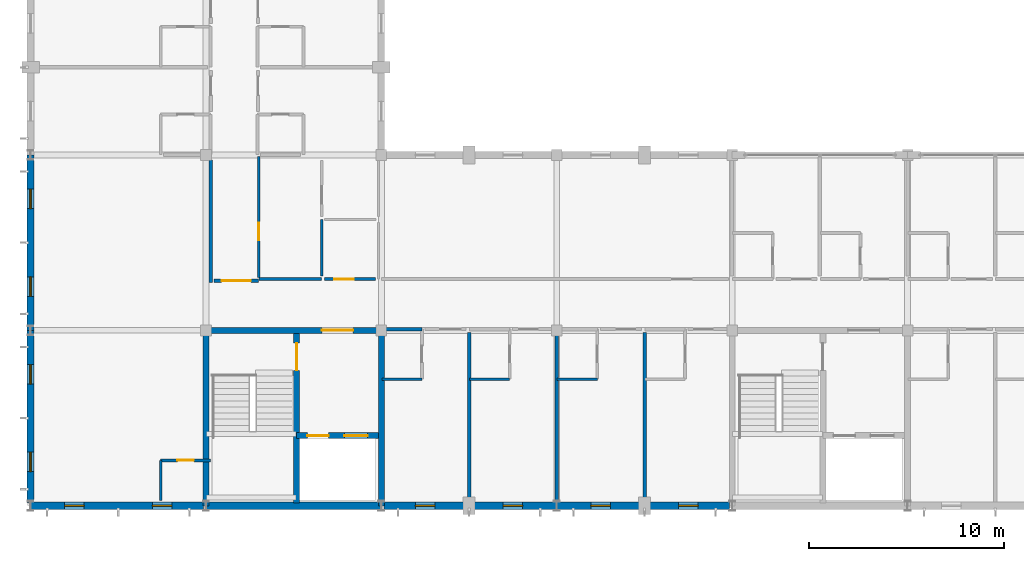
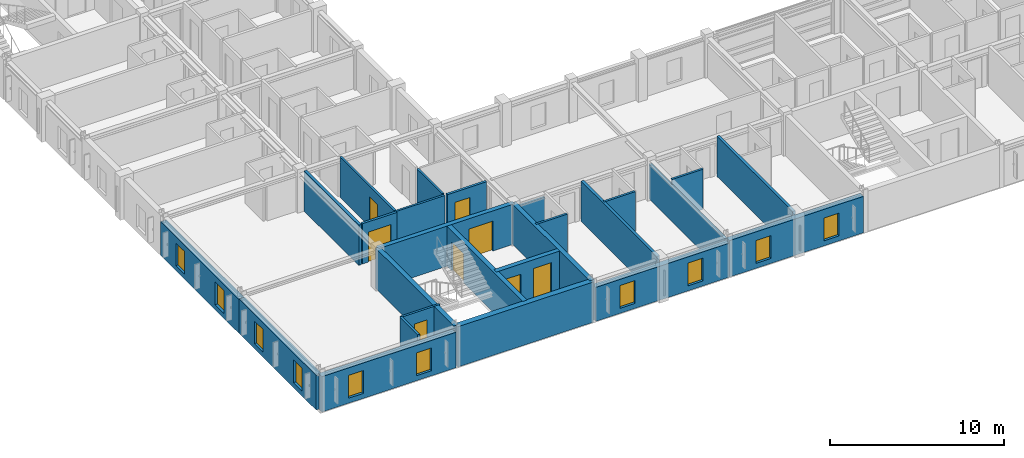
# One storey, part 17 of 37: 26 walls, 10 windows, 8 doors, 18 openings.
"""IFC4 building model written with IfcOpenShell, lengths in metres."""

from ifc_helpers import new_model, si_unit, direction, frame, frame_2d, origin, place, context, subcontext, project, spatial, rectangle, extrude, material, layer, layer_set, type_object, element, fill, save


model = new_model("IFC4")

# Units and contexts
model_context = context("Model", 3, precision=1e-05, world=origin(), true_north=direction((0.0, 1.0)))
body_context = subcontext(model_context, "Body", "Model", "MODEL_VIEW")
ifc_project = project(units=[si_unit("LENGTHUNIT", "METRE"), si_unit("AREAUNIT", "SQUARE_METRE"), si_unit("VOLUMEUNIT", "CUBIC_METRE"), si_unit("PLANEANGLEUNIT", "RADIAN"), si_unit("MASSUNIT", "GRAM", prefix="KILO")], contexts=[model_context])

# Site, building, storey
site_placement = place(None, origin())
site = spatial("IfcSite", under=ifc_project, at=site_placement, CompositionType="ELEMENT")
building_placement = place(site_placement, origin())
building = spatial("IfcBuilding", under=site, at=building_placement, Name="Palais des Congres Ocreval", CompositionType="ELEMENT")
storey_placement = place(building_placement, frame((0.0, 0.0, 11.52001953125)))
storey = spatial("IfcBuildingStorey", under=building, at=storey_placement, Name="L03", CompositionType="ELEMENT", Elevation=11.52001953125)

# Wall, opening, door
ifc_material_1 = material(Name="Moisture-resistant gypsum board")
ifc_layer_1 = layer(ifc_material_1, 0.139892578125)
ifc_layer_set_1 = layer_set([ifc_layer_1], Name="Bathroom Plumbing Chase Wall 140 Gypsum (Moisture-resistant gypsum board)")
wall_type_1 = type_object("IfcWallType", Name="Bathroom Plumbing Chase Wall 140 Gypsum", PredefinedType="PLUMBINGWALL", material=ifc_layer_set_1)
wall_1_placement = place(storey_placement, frame((6.679931640625, 2.330078125, 0.0), z_axis=(0.0, 0.0, 1.0), x_axis=(1.0, 0.0, 0.0)))
wall_1 = element("IfcWall", 1, at=wall_1_placement, inside=storey, type_object=wall_type_1, Name="Bathroom Plumbing Wall PW03 L03", PredefinedType="PLUMBINGWALL", context=body_context, shape_type="SweptSolid", body=[
    extrude(rectangle(XDim=2.56005859375, YDim=0.139892578125, at=frame_2d((1.280029296875, 0.0))), origin(), (0.0, 0.0, 1.0), 2.820068359375),
])
opening_1_placement = place(wall_1_placement, frame((0.85498046875, 0.0, 0.0)))
opening_1 = element("IfcOpeningElement", 2, at=opening_1_placement, cuts=wall_1, Name="Opening D08", PredefinedType="OPENING", context=body_context, shape_type="SweptSolid", body=[
    extrude(rectangle(XDim=0.85009765625, YDim=2.0400390625, at=frame_2d((0.425048828125, 1.02001953125))), frame((0.0, 0.079833984375, 0.0), z_axis=(0.0, -1.0, 0.0), x_axis=(1.0, 0.0, 0.0)), (0.0, 0.0, 1.0), 0.159912109375),
])
ifc_material_2 = material(Name="Solid French oak", Category="wood")
door_type_1 = type_object("IfcDoorType", Name="En-Suite Bathroom Door 850x2040", OperationType="NOTDEFINED", PredefinedType="DOOR", material=ifc_material_2)
door_1_placement = place(opening_1_placement, origin())
door_1 = element("IfcDoor", 3, at=door_1_placement, inside=storey, type_object=door_type_1, Name="En-Suite Bathroom Door D08 L03", OperationType="SINGLE_SWING_LEFT", OverallHeight=2.0400390625, OverallWidth=0.85009765625, PredefinedType="DOOR", context=body_context, shape_type="SweptSolid", body=[
    extrude(rectangle(XDim=0.85009765625, YDim=2.0400390625, at=frame_2d((0.425048828125, 1.02001953125))), frame((0.0, 0.02490234375, 0.0), z_axis=(0.0, -1.0, 0.0), x_axis=(1.0, 0.0, 0.0)), (0.0, 0.0, 1.0), 0.050048828125),
])
fill(opening_1, door_1)

# Walls
for number, where, z_axis, x_axis, name in (
    (4, (6.679931640625, 0.27001953125, 0.0), (0.0, 0.0, 1.0), (0.0, 1.0, 0.0), "Bathroom Plumbing Wall PW03 L03"),
    (5, (18.02001953125, 6.5, 0.0), (0.0, 0.0, 1.0), (1.0, 0.0, 0.0), "Bathroom Plumbing Wall PW03 L03"),
    (6, (22.52001953125, 6.5, 0.0), (0.0, 0.0, 1.0), (1.0, 0.0, 0.0), "Bathroom Plumbing Wall PW03 L03"),
    (7, (27.02001953125, 6.5, 0.0), (0.0, 0.0, 1.0), (1.0, 0.0, 0.0), "Bathroom Plumbing Wall PW03 L03"),
):
    element("IfcWall", number, at=place(storey_placement, frame(where, z_axis=z_axis, x_axis=x_axis)), inside=storey, type_object=wall_type_1, Name=name, PredefinedType="PLUMBINGWALL", context=body_context, shape_type="SweptSolid", body=[
        extrude(rectangle(XDim=2.06005859375, YDim=0.139892578125, at=frame_2d((1.030029296875, 0.0))), origin(), (0.0, 0.0, 1.0), 2.820068359375),
    ])
wall_2_placement = place(storey_placement, frame((11.719970703125, 11.635009765625, 0.0), z_axis=(0.0, 0.0, 1.0), x_axis=(1.0, 0.0, 0.0)))
element("IfcWall", 8, at=wall_2_placement, inside=storey, type_object=wall_type_1, Name="Interior Partition PW03 L03", PredefinedType="PLUMBINGWALL", context=body_context, shape_type="SweptSolid", body=[
    extrude(rectangle(XDim=3.2099609375, YDim=0.139892578125, at=frame_2d((1.60498046875, 0.0))), origin(), (0.0, 0.0, 1.0), 2.820068359375),
])
wall_3_placement = place(storey_placement, frame((14.93505859375, 11.7900390625, 0.0), z_axis=(0.0, 0.0, 1.0), x_axis=(0.0, 1.0, 0.0)))
element("IfcWall", 9, at=wall_3_placement, inside=storey, type_object=wall_type_1, Name="Interior Partition PW03 L03", PredefinedType="PLUMBINGWALL", context=body_context, shape_type="SweptSolid", body=[
    extrude(rectangle(XDim=2.889892578125, YDim=0.139892578125, at=frame_2d((1.44482421875, 0.0))), origin(), (0.0, 0.0, 1.0), 2.820068359375),
])

# Wall, opening, door
wall_4_placement = place(storey_placement, frame((11.7099609375, 11.705078125, 0.0), z_axis=(0.0, 0.0, 1.0), x_axis=(0.0, 1.0, 0.0)))
wall_4 = element("IfcWall", 10, at=wall_4_placement, inside=storey, type_object=wall_type_1, Name="Interior Partition PW03 L03", PredefinedType="PLUMBINGWALL", context=body_context, shape_type="SweptSolid", body=[
    extrude(rectangle(XDim=6.219970703125, YDim=0.139892578125, at=frame_2d((3.10986328125, 0.0))), origin(), (0.0, 0.0, 1.0), 2.820068359375),
])
opening_2_placement = place(wall_4_placement, frame((1.91357421875, 0.0, 0.0)))
opening_2 = element("IfcOpeningElement", 11, at=opening_2_placement, cuts=wall_4, Name="Opening D09", PredefinedType="OPENING", context=body_context, shape_type="SweptSolid", body=[
    extrude(rectangle(XDim=0.89990234375, YDim=2.10009765625, at=frame_2d((0.449951171875, 1.050048828125))), frame((0.0, 0.079833984375, 0.0), z_axis=(0.0, -1.0, 0.0), x_axis=(1.0, 0.0, 0.0)), (0.0, 0.0, 1.0), 0.159912109375),
])
door_type_2 = type_object("IfcDoorType", Name="Accessible Restroom Door 900x2100", OperationType="NOTDEFINED", PredefinedType="DOOR", material=ifc_material_2)
door_2_placement = place(opening_2_placement, origin())
door_2 = element("IfcDoor", 12, at=door_2_placement, inside=storey, type_object=door_type_2, Name="Interior Door D09 L03", OperationType="SINGLE_SWING_LEFT", OverallHeight=2.10009765625, OverallWidth=0.89990234375, PredefinedType="DOOR", context=body_context, shape_type="SweptSolid", body=[
    extrude(rectangle(XDim=0.89990234375, YDim=2.10009765625, at=frame_2d((0.449951171875, 1.050048828125))), frame((0.0, 0.02490234375, 0.0), z_axis=(0.0, -1.0, 0.0), x_axis=(1.0, 0.0, 0.0)), (0.0, 0.0, 1.0), 0.050048828125),
])
fill(opening_2, door_2)

# Wall
ifc_material_3 = material(Name="Concrete C40/50", Category="concrete")
ifc_layer_2 = layer(ifc_material_3, 0.300048828125)
ifc_layer_set_2 = layer_set([ifc_layer_2], Name="Core Shear Wall 300 Concrete C40/50")
wall_type_2 = type_object("IfcWallType", Name="Core Shear Wall 300 Concrete C40/50", PredefinedType="SHEAR", material=ifc_layer_set_2)
wall_5_placement = place(storey_placement, frame((18.0, 0.0, 0.0), z_axis=(0.0, 0.0, 1.0), x_axis=(0.0, 1.0, 0.0)))
element("IfcWall", 13, at=wall_5_placement, inside=storey, type_object=wall_type_2, Name="Core Shear Wall SC01 L03 E", PredefinedType="SHEAR", context=body_context, shape_type="SweptSolid", body=[
    extrude(rectangle(XDim=9.0, YDim=0.300048828125, at=frame_2d((4.5, 0.0))), origin(), (0.0, 0.0, 1.0), 2.820068359375),
])

# Wall, opening, door
wall_6_placement = place(storey_placement, frame((9.0, 9.0, 0.0), z_axis=(0.0, 0.0, 1.0), x_axis=(1.0, 0.0, 0.0)))
wall_6 = element("IfcWall", 14, at=wall_6_placement, inside=storey, type_object=wall_type_2, Name="Core Shear Wall SC01 L03 N", PredefinedType="SHEAR", context=body_context, shape_type="SweptSolid", body=[
    extrude(rectangle(XDim=9.0, YDim=0.300048828125, at=frame_2d((4.5, 0.0))), origin(), (0.0, 0.0, 1.0), 2.820068359375),
])
opening_3_placement = place(wall_6_placement, frame((5.949951171875, 0.0, 0.0)))
opening_3 = element("IfcOpeningElement", 15, at=opening_3_placement, cuts=wall_6, Name="Opening D02", PredefinedType="OPENING", context=body_context, shape_type="SweptSolid", body=[
    extrude(rectangle(XDim=1.60009765625, YDim=2.10009765625, at=frame_2d((0.800048828125, 1.050048828125))), frame((0.0, 0.159912109375, 0.0), z_axis=(0.0, -1.0, 0.0), x_axis=(1.0, 0.0, 0.0)), (0.0, 0.0, 1.0), 0.320068359375),
])
ifc_material_4 = material(Name="Painted fire-rated steel", Category="steel")
door_type_3 = type_object("IfcDoorType", Name="Firefighting Lobby Rated Door 1600x2100", OperationType="NOTDEFINED", PredefinedType="DOOR", material=ifc_material_4)
door_3_placement = place(opening_3_placement, origin())
door_3 = element("IfcDoor", 16, at=door_3_placement, inside=storey, type_object=door_type_3, Name="Firefighting Lobby Entrance Door SC01 L03", OperationType="DOUBLE_DOOR_SINGLE_SWING", OverallHeight=2.10009765625, OverallWidth=1.60009765625, PredefinedType="DOOR", context=body_context, shape_type="SweptSolid", body=[
    extrude(rectangle(XDim=1.60009765625, YDim=2.10009765625, at=frame_2d((0.800048828125, 1.050048828125))), frame((0.0, 0.02490234375, 0.0), z_axis=(0.0, -1.0, 0.0), x_axis=(1.0, 0.0, 0.0)), (0.0, 0.0, 1.0), 0.050048828125),
])
fill(opening_3, door_3)

# Wall
wall_7_placement = place(storey_placement, frame((9.0, 0.0, 0.0), z_axis=(0.0, 0.0, 1.0), x_axis=(0.0, 1.0, 0.0)))
element("IfcWall", 17, at=wall_7_placement, inside=storey, type_object=wall_type_2, Name="Core Shear Wall SC01 L03 W", PredefinedType="SHEAR", context=body_context, shape_type="SweptSolid", body=[
    extrude(rectangle(XDim=9.0, YDim=0.300048828125, at=frame_2d((4.5, 0.0))), origin(), (0.0, 0.0, 1.0), 2.820068359375),
])

# Wall, opening, door
wall_8_placement = place(storey_placement, frame((13.64990234375, 0.14990234375, 0.0), z_axis=(0.0, 0.0, 1.0), x_axis=(0.0, 1.0, 0.0)))
wall_8 = element("IfcWall", 18, at=wall_8_placement, inside=storey, type_object=wall_type_2, Name="Core Spine Shear Wall SC01 L03", PredefinedType="SHEAR", context=body_context, shape_type="SweptSolid", body=[
    extrude(rectangle(XDim=8.7001953125, YDim=0.300048828125, at=frame_2d((4.35009765625, 0.0))), origin(), (0.0, 0.0, 1.0), 2.820068359375),
])
opening_4_placement = place(wall_8_placement, frame((6.800048828125, 0.0, 0.0)))
opening_4 = element("IfcOpeningElement", 19, at=opening_4_placement, cuts=wall_8, Name="Opening D03", PredefinedType="OPENING", context=body_context, shape_type="SweptSolid", body=[
    extrude(rectangle(XDim=1.39990234375, YDim=2.02001953125, at=frame_2d((0.699951171875, 1.010009765625))), frame((0.0, 0.159912109375, 0.0), z_axis=(0.0, -1.0, 0.0), x_axis=(1.0, 0.0, 0.0)), (0.0, 0.0, 1.0), 0.320068359375),
])
door_type_4 = type_object("IfcDoorType", Name="Core Lobby Rated Door 1400x2020", OperationType="NOTDEFINED", PredefinedType="DOOR", material=ifc_material_4)
door_4_placement = place(opening_4_placement, origin())
door_4 = element("IfcDoor", 20, at=door_4_placement, inside=storey, type_object=door_type_4, Name="Protected Exit Stair Door ST01 L03", OperationType="SINGLE_SWING_LEFT", OverallHeight=2.02001953125, OverallWidth=1.39990234375, PredefinedType="DOOR", context=body_context, shape_type="SweptSolid", body=[
    extrude(rectangle(XDim=1.39990234375, YDim=2.02001953125, at=frame_2d((0.699951171875, 1.010009765625))), frame((0.0, 0.02490234375, 0.0), z_axis=(0.0, -1.0, 0.0), x_axis=(1.0, 0.0, 0.0)), (0.0, 0.0, 1.0), 0.050048828125),
])
fill(opening_4, door_4)

# Wall, openings, doors
wall_9_placement = place(storey_placement, frame((13.64990234375, 3.60009765625, 0.0), z_axis=(0.0, 0.0, 1.0), x_axis=(1.0, 0.0, 0.0)))
wall_9 = element("IfcWall", 21, at=wall_9_placement, inside=storey, type_object=wall_type_2, Name="Lift Shaft Front Wall SC01 L03", PredefinedType="SHEAR", context=body_context, shape_type="SweptSolid", body=[
    extrude(rectangle(XDim=4.2001953125, YDim=0.300048828125, at=frame_2d((2.10009765625, 0.0))), origin(), (0.0, 0.0, 1.0), 2.820068359375),
])
opening_5_placement = place(wall_9_placement, frame((0.550048828125, 0.0, 0.0)))
opening_5 = element("IfcOpeningElement", 22, at=opening_5_placement, cuts=wall_9, Name="Opening LD01", PredefinedType="OPENING", context=body_context, shape_type="SweptSolid", body=[
    extrude(rectangle(XDim=1.10009765625, YDim=2.10009765625, at=frame_2d((0.550048828125, 1.050048828125))), frame((0.0, 0.159912109375, 0.0), z_axis=(0.0, -1.0, 0.0), x_axis=(1.0, 0.0, 0.0)), (0.0, 0.0, 1.0), 0.320068359375),
])
opening_6_placement = place(wall_9_placement, frame((2.449951171875, 0.0, 0.0)))
opening_6 = element("IfcOpeningElement", 23, at=opening_6_placement, cuts=wall_9, Name="Opening LD02", PredefinedType="OPENING", context=body_context, shape_type="SweptSolid", body=[
    extrude(rectangle(XDim=1.199951171875, YDim=2.199951171875, at=frame_2d((0.60009765625, 1.10009765625))), frame((0.0, 0.159912109375, 0.0), z_axis=(0.0, -1.0, 0.0), x_axis=(1.0, 0.0, 0.0)), (0.0, 0.0, 1.0), 0.320068359375),
])
ifc_material_5 = material(Name="Stainless steel", Category="steel")
door_type_5 = type_object("IfcDoorType", Name="Firefighting Lift Sliding Landing Door 1100x2100", OperationType="NOTDEFINED", PredefinedType="DOOR", material=ifc_material_5)
door_5_placement = place(opening_5_placement, origin())
door_5 = element("IfcDoor", 24, at=door_5_placement, inside=storey, type_object=door_type_5, Name="Lift Landing Sliding Door FF1 L03", OperationType="DOUBLE_DOOR_SLIDING", OverallHeight=2.10009765625, OverallWidth=1.10009765625, PredefinedType="DOOR", context=body_context, shape_type="SweptSolid", body=[
    extrude(rectangle(XDim=1.10009765625, YDim=2.10009765625, at=frame_2d((0.550048828125, 1.050048828125))), frame((0.0, 0.02490234375, 0.0), z_axis=(0.0, -1.0, 0.0), x_axis=(1.0, 0.0, 0.0)), (0.0, 0.0, 1.0), 0.050048828125),
])
fill(opening_5, door_5)
ifc_material_6 = material(Name="Anodized bronze steel", Category="steel")
door_type_6 = type_object("IfcDoorType", Name="Passenger and Service Lift Sliding Door 1200x2200", OperationType="NOTDEFINED", PredefinedType="DOOR", material=ifc_material_6)
door_6_placement = place(opening_6_placement, origin())
door_6 = element("IfcDoor", 25, at=door_6_placement, inside=storey, type_object=door_type_6, Name="Lift Landing Sliding Door PL1 L03", OperationType="DOUBLE_DOOR_SLIDING", OverallHeight=2.199951171875, OverallWidth=1.199951171875, PredefinedType="DOOR", context=body_context, shape_type="SweptSolid", body=[
    extrude(rectangle(XDim=1.199951171875, YDim=2.199951171875, at=frame_2d((0.60009765625, 1.10009765625))), frame((0.0, 0.02490234375, 0.0), z_axis=(0.0, -1.0, 0.0), x_axis=(1.0, 0.0, 0.0)), (0.0, 0.0, 1.0), 0.050048828125),
])
fill(opening_6, door_6)

# Wall
ifc_material_7 = material(Name="Gypsum acoustic partition")
ifc_layer_3 = layer(ifc_material_7, 0.159912109375)
ifc_layer_set_3 = layer_set([ifc_layer_3], Name="Corridor Fire Partition 160 Gypsum (Gypsum acoustic partition)")
wall_type_3 = type_object("IfcWallType", Name="Corridor Fire Partition 160 Gypsum", PredefinedType="PARTITIONING", material=ifc_layer_set_3)
wall_10_placement = place(storey_placement, frame((18.02001953125, 9.06005859375, 0.0), z_axis=(0.0, 0.0, 1.0), x_axis=(1.0, 0.0, 0.0)))
element("IfcWall", 26, at=wall_10_placement, inside=storey, type_object=wall_type_3, Name="Corridor Partition IW03 L03", PredefinedType="PARTITIONING", context=body_context, shape_type="SweptSolid", body=[
    extrude(rectangle(XDim=2.06005859375, YDim=0.159912109375, at=frame_2d((1.030029296875, 0.0))), origin(), (0.0, 0.0, 1.0), 2.449951171875),
])

# Wall, opening, door
wall_11_placement = place(storey_placement, frame((9.405029296875, 11.550048828125, 0.0), z_axis=(0.0, 0.0, 1.0), x_axis=(1.0, 0.0, 0.0)))
wall_11 = element("IfcWall", 27, at=wall_11_placement, inside=storey, type_object=wall_type_3, Name="Interior Partition IW03 L03", PredefinedType="PARTITIONING", context=body_context, shape_type="SweptSolid", body=[
    extrude(rectangle(XDim=2.294921875, YDim=0.159912109375, at=frame_2d((1.1474609375, 0.0))), origin(), (0.0, 0.0, 1.0), 2.820068359375),
])
opening_7_placement = place(wall_11_placement, frame((0.3974609375, 0.0, 0.0)))
opening_7 = element("IfcOpeningElement", 28, at=opening_7_placement, cuts=wall_11, Name="Opening D04", PredefinedType="OPENING", context=body_context, shape_type="SweptSolid", body=[
    extrude(rectangle(XDim=1.5, YDim=2.10009765625, at=frame_2d((0.75, 1.050048828125))), frame((0.0, 0.08984375, 0.0), z_axis=(0.0, -1.0, 0.0), x_axis=(1.0, 0.0, 0.0)), (0.0, 0.0, 1.0), 0.179931640625),
])
ifc_material_8 = material(Name="Solid French oak fire door", Category="wood")
door_type_7 = type_object("IfcDoorType", Name="Corridor Compartment Double Door 1500x2100", OperationType="NOTDEFINED", PredefinedType="DOOR", material=ifc_material_8)
door_7_placement = place(opening_7_placement, origin())
door_7 = element("IfcDoor", 29, at=door_7_placement, inside=storey, type_object=door_type_7, Name="Interior Door D04 L03", OperationType="DOUBLE_DOOR_SINGLE_SWING", OverallHeight=2.10009765625, OverallWidth=1.5, PredefinedType="DOOR", context=body_context, shape_type="SweptSolid", body=[
    extrude(rectangle(XDim=1.5, YDim=2.10009765625, at=frame_2d((0.75, 1.050048828125))), frame((0.0, 0.02490234375, 0.0), z_axis=(0.0, -1.0, 0.0), x_axis=(1.0, 0.0, 0.0)), (0.0, 0.0, 1.0), 0.050048828125),
])
fill(opening_7, door_7)

wall_12_placement = place(storey_placement, frame((15.090087890625, 11.635009765625, 0.0), z_axis=(0.0, 0.0, 1.0), x_axis=(1.0, 0.0, 0.0)))
wall_12 = element("IfcWall", 30, at=wall_12_placement, inside=storey, type_object=wall_type_3, Name="Interior Partition IW03 L03", PredefinedType="PARTITIONING", context=body_context, shape_type="SweptSolid", body=[
    extrude(rectangle(XDim=2.60498046875, YDim=0.159912109375, at=frame_2d((1.302490234375, 0.0))), origin(), (0.0, 0.0, 1.0), 2.820068359375),
])
opening_8_placement = place(wall_12_placement, frame((0.489990234375, 0.0, 0.0)))
opening_8 = element("IfcOpeningElement", 31, at=opening_8_placement, cuts=wall_12, Name="Opening D10", PredefinedType="OPENING", context=body_context, shape_type="SweptSolid", body=[
    extrude(rectangle(XDim=1.0, YDim=2.10009765625, at=frame_2d((0.5, 1.050048828125))), frame((0.0, 0.08984375, 0.0), z_axis=(0.0, -1.0, 0.0), x_axis=(1.0, 0.0, 0.0)), (0.0, 0.0, 1.0), 0.179931640625),
])
ifc_material_9 = material(Name="Painted steel", Category="steel")
door_type_8 = type_object("IfcDoorType", Name="Service and Pantry Door 1000x2100", OperationType="NOTDEFINED", PredefinedType="DOOR", material=ifc_material_9)
door_8_placement = place(opening_8_placement, origin())
door_8 = element("IfcDoor", 32, at=door_8_placement, inside=storey, type_object=door_type_8, Name="Interior Door D10 L03", OperationType="SINGLE_SWING_RIGHT", OverallHeight=2.10009765625, OverallWidth=1.0, PredefinedType="DOOR", context=body_context, shape_type="SweptSolid", body=[
    extrude(rectangle(XDim=1.0, YDim=2.10009765625, at=frame_2d((0.5, 1.050048828125))), frame((0.0, 0.02490234375, 0.0), z_axis=(0.0, -1.0, 0.0), x_axis=(1.0, 0.0, 0.0)), (0.0, 0.0, 1.0), 0.050048828125),
])
fill(opening_8, door_8)

# Walls
ifc_layer_4 = layer(ifc_material_7, 0.179931640625)
ifc_layer_set_4 = layer_set([ifc_layer_4], Name="Hotel Inter-Room Acoustic Partition 180 Gypsum (Gypsum acoustic partition)")
wall_type_4 = type_object("IfcWallType", Name="Hotel Inter-Room Acoustic Partition 180 Gypsum", PredefinedType="PARTITIONING", material=ifc_layer_set_4)
wall_13_placement = place(storey_placement, frame((9.25, 11.449951171875, 0.0), z_axis=(0.0, 0.0, 1.0), x_axis=(0.0, 1.0, 0.0)))
element("IfcWall", 33, at=wall_13_placement, inside=storey, type_object=wall_type_4, Name="Hotel Party Partition IW02 L03", PredefinedType="PARTITIONING", context=body_context, shape_type="SweptSolid", body=[
    extrude(rectangle(XDim=6.300048828125, YDim=0.179931640625, at=frame_2d((3.14990234375, 0.0))), origin(), (0.0, 0.0, 1.0), 2.820068359375),
])
wall_14_placement = place(storey_placement, frame((22.5, 0.195068359375, 0.0), z_axis=(0.0, 0.0, 1.0), x_axis=(0.0, 1.0, 0.0)))
element("IfcWall", 34, at=wall_14_placement, inside=storey, type_object=wall_type_4, Name="Hotel Party Partition IW02 L03", PredefinedType="PARTITIONING", context=body_context, shape_type="SweptSolid", body=[
    extrude(rectangle(XDim=8.7099609375, YDim=0.179931640625, at=frame_2d((4.35498046875, 0.0))), origin(), (0.0, 0.0, 1.0), 2.820068359375),
])
wall_15_placement = place(storey_placement, frame((27.0, 0.195068359375, 0.0), z_axis=(0.0, 0.0, 1.0), x_axis=(0.0, 1.0, 0.0)))
element("IfcWall", 35, at=wall_15_placement, inside=storey, type_object=wall_type_4, Name="Hotel Party Partition IW02 L03", PredefinedType="PARTITIONING", context=body_context, shape_type="SweptSolid", body=[
    extrude(rectangle(XDim=8.7099609375, YDim=0.179931640625, at=frame_2d((4.35498046875, 0.0))), origin(), (0.0, 0.0, 1.0), 2.449951171875),
])
wall_16_placement = place(storey_placement, frame((31.5, 0.195068359375, 0.0), z_axis=(0.0, 0.0, 1.0), x_axis=(0.0, 1.0, 0.0)))
element("IfcWall", 36, at=wall_16_placement, inside=storey, type_object=wall_type_4, Name="Hotel Party Partition IW02 L03", PredefinedType="PARTITIONING", context=body_context, shape_type="SweptSolid", body=[
    extrude(rectangle(XDim=8.7099609375, YDim=0.179931640625, at=frame_2d((4.35498046875, 0.0))), origin(), (0.0, 0.0, 1.0), 2.820068359375),
])

# Wall, openings, windows
ifc_layer_5 = layer(ifc_material_3, 0.3798828125)
ifc_layer_set_5 = layer_set([ifc_layer_5], Name="Lutetian Limestone Street Wall 380 Concrete C40/50")
wall_type_5 = type_object("IfcWallType", Name="Lutetian Limestone Street Wall 380 Concrete C40/50", PredefinedType="SOLIDWALL", material=ifc_layer_set_5)
wall_17_placement = place(storey_placement, frame((35.8701171875, 0.0, 0.0), z_axis=(0.0, 0.0, 1.0), x_axis=(-1.0, 0.0, 0.0)))
wall_17 = element("IfcWall", 37, at=wall_17_placement, inside=storey, type_object=wall_type_5, Name="Exterior Wall EW03 L03", PredefinedType="SOLIDWALL", context=body_context, shape_type="SweptSolid", body=[
    extrude(rectangle(XDim=8.8701171875, YDim=0.3798828125, at=frame_2d((4.43505859375, 0.0))), origin(), (0.0, 0.0, 1.0), 2.550048828125),
])
opening_9_placement = place(wall_17_placement, frame((1.6201171875, 0.0, 0.35009765625)))
opening_9 = element("IfcOpeningElement", 38, at=opening_9_placement, cuts=wall_17, Name="Opening WN18", PredefinedType="OPENING", context=body_context, shape_type="SweptSolid", body=[
    extrude(rectangle(XDim=1.0, YDim=1.60009765625, at=frame_2d((0.5, 0.800048828125))), frame((0.0, 0.199951171875, 0.0), z_axis=(0.0, -1.0, 0.0), x_axis=(1.0, 0.0, 0.0)), (0.0, 0.0, 1.0), 0.39990234375),
])
opening_10_placement = place(wall_17_placement, frame((6.1201171875, 0.0, 0.35009765625)))
opening_10 = element("IfcOpeningElement", 39, at=opening_10_placement, cuts=wall_17, Name="Opening WN18", PredefinedType="OPENING", context=body_context, shape_type="SweptSolid", body=[
    extrude(rectangle(XDim=1.0, YDim=1.60009765625, at=frame_2d((0.5, 0.800048828125))), frame((0.0, 0.199951171875, 0.0), z_axis=(0.0, -1.0, 0.0), x_axis=(1.0, 0.0, 0.0)), (0.0, 0.0, 1.0), 0.39990234375),
])
ifc_material_10 = material(Name="Anodized bronze aluminium and low-E glass", Category="glass")
window_type = type_object("IfcWindowType", Name="Stair and Lobby Daylight Window 1000x1600", PartitioningType="SINGLE_PANEL", PredefinedType="WINDOW", material=ifc_material_10)
window_1_placement = place(opening_9_placement, origin())
window_1 = element("IfcWindow", 40, at=window_1_placement, inside=storey, type_object=window_type, Name="Hotel Facade Window WN18", OverallHeight=1.60009765625, OverallWidth=1.0, PartitioningType="SINGLE_PANEL", PredefinedType="WINDOW", context=body_context, shape_type="SweptSolid", body=[
    extrude(rectangle(XDim=1.0, YDim=1.60009765625, at=frame_2d((0.5, 0.800048828125))), frame((0.0, 0.030029296875, 0.0), z_axis=(0.0, -1.0, 0.0), x_axis=(1.0, 0.0, 0.0)), (0.0, 0.0, 1.0), 0.06005859375),
])
fill(opening_9, window_1)
window_2_placement = place(opening_10_placement, origin())
window_2 = element("IfcWindow", 41, at=window_2_placement, inside=storey, type_object=window_type, Name="Hotel Facade Window WN18", OverallHeight=1.60009765625, OverallWidth=1.0, PartitioningType="SINGLE_PANEL", PredefinedType="WINDOW", context=body_context, shape_type="SweptSolid", body=[
    extrude(rectangle(XDim=1.0, YDim=1.60009765625, at=frame_2d((0.5, 0.800048828125))), frame((0.0, 0.030029296875, 0.0), z_axis=(0.0, -1.0, 0.0), x_axis=(1.0, 0.0, 0.0)), (0.0, 0.0, 1.0), 0.06005859375),
])
fill(opening_10, window_2)

wall_18_placement = place(storey_placement, frame((27.0, 0.0, 0.0), z_axis=(0.0, 0.0, 1.0), x_axis=(-1.0, 0.0, 0.0)))
wall_18 = element("IfcWall", 42, at=wall_18_placement, inside=storey, type_object=wall_type_5, Name="Exterior Wall EW03 L03", PredefinedType="SOLIDWALL", context=body_context, shape_type="SweptSolid", body=[
    extrude(rectangle(XDim=8.8701171875, YDim=0.3798828125, at=frame_2d((4.43505859375, 0.0))), origin(), (0.0, 0.0, 1.0), 2.3798828125),
])
opening_11_placement = place(wall_18_placement, frame((1.75, 0.0, 0.35009765625)))
opening_11 = element("IfcOpeningElement", 43, at=opening_11_placement, cuts=wall_18, Name="Opening WN18", PredefinedType="OPENING", context=body_context, shape_type="SweptSolid", body=[
    extrude(rectangle(XDim=1.0, YDim=1.60009765625, at=frame_2d((0.5, 0.800048828125))), frame((0.0, 0.199951171875, 0.0), z_axis=(0.0, -1.0, 0.0), x_axis=(1.0, 0.0, 0.0)), (0.0, 0.0, 1.0), 0.39990234375),
])
opening_12_placement = place(wall_18_placement, frame((6.25, 0.0, 0.35009765625)))
opening_12 = element("IfcOpeningElement", 44, at=opening_12_placement, cuts=wall_18, Name="Opening WN18", PredefinedType="OPENING", context=body_context, shape_type="SweptSolid", body=[
    extrude(rectangle(XDim=1.0, YDim=1.60009765625, at=frame_2d((0.5, 0.800048828125))), frame((0.0, 0.199951171875, 0.0), z_axis=(0.0, -1.0, 0.0), x_axis=(1.0, 0.0, 0.0)), (0.0, 0.0, 1.0), 0.39990234375),
])
window_3_placement = place(opening_11_placement, origin())
window_3 = element("IfcWindow", 45, at=window_3_placement, inside=storey, type_object=window_type, Name="Hotel Facade Window WN18", OverallHeight=1.60009765625, OverallWidth=1.0, PartitioningType="SINGLE_PANEL", PredefinedType="WINDOW", context=body_context, shape_type="SweptSolid", body=[
    extrude(rectangle(XDim=1.0, YDim=1.60009765625, at=frame_2d((0.5, 0.800048828125))), frame((0.0, 0.030029296875, 0.0), z_axis=(0.0, -1.0, 0.0), x_axis=(1.0, 0.0, 0.0)), (0.0, 0.0, 1.0), 0.06005859375),
])
fill(opening_11, window_3)
window_4_placement = place(opening_12_placement, origin())
window_4 = element("IfcWindow", 46, at=window_4_placement, inside=storey, type_object=window_type, Name="Hotel Facade Window WN18", OverallHeight=1.60009765625, OverallWidth=1.0, PartitioningType="SINGLE_PANEL", PredefinedType="WINDOW", context=body_context, shape_type="SweptSolid", body=[
    extrude(rectangle(XDim=1.0, YDim=1.60009765625, at=frame_2d((0.5, 0.800048828125))), frame((0.0, 0.030029296875, 0.0), z_axis=(0.0, -1.0, 0.0), x_axis=(1.0, 0.0, 0.0)), (0.0, 0.0, 1.0), 0.06005859375),
])
fill(opening_12, window_4)

# Wall
wall_19_placement = place(storey_placement, frame((18.0, 0.0, 0.0), z_axis=(0.0, 0.0, 1.0), x_axis=(-1.0, 0.0, 0.0)))
element("IfcWall", 47, at=wall_19_placement, inside=storey, type_object=wall_type_5, Name="Core Perimeter Shear Wall EW03 SC01 L03", PredefinedType="SOLIDWALL", context=body_context, shape_type="SweptSolid", body=[
    extrude(rectangle(XDim=9.0, YDim=0.3798828125, at=frame_2d((4.5, 0.0))), origin(), (0.0, 0.0, 1.0), 2.820068359375),
])

# Wall, openings, windows
wall_20_placement = place(storey_placement, frame((8.8701171875, 0.0, 0.0), z_axis=(0.0, 0.0, 1.0), x_axis=(-1.0, 0.0, 0.0)))
wall_20 = element("IfcWall", 48, at=wall_20_placement, inside=storey, type_object=wall_type_5, Name="Exterior Wall EW03 L03", PredefinedType="SOLIDWALL", context=body_context, shape_type="SweptSolid", body=[
    extrude(rectangle(XDim=8.8701171875, YDim=0.3798828125, at=frame_2d((4.43505859375, 0.0))), origin(), (0.0, 0.0, 1.0), 2.47998046875),
])
opening_13_placement = place(wall_20_placement, frame((1.6201171875, 0.0, 0.35009765625)))
opening_13 = element("IfcOpeningElement", 49, at=opening_13_placement, cuts=wall_20, Name="Opening WN18", PredefinedType="OPENING", context=body_context, shape_type="SweptSolid", body=[
    extrude(rectangle(XDim=1.0, YDim=1.60009765625, at=frame_2d((0.5, 0.800048828125))), frame((0.0, 0.199951171875, 0.0), z_axis=(0.0, -1.0, 0.0), x_axis=(1.0, 0.0, 0.0)), (0.0, 0.0, 1.0), 0.39990234375),
])
opening_14_placement = place(wall_20_placement, frame((6.1201171875, 0.0, 0.35009765625)))
opening_14 = element("IfcOpeningElement", 50, at=opening_14_placement, cuts=wall_20, Name="Opening WN18", PredefinedType="OPENING", context=body_context, shape_type="SweptSolid", body=[
    extrude(rectangle(XDim=1.0, YDim=1.60009765625, at=frame_2d((0.5, 0.800048828125))), frame((0.0, 0.199951171875, 0.0), z_axis=(0.0, -1.0, 0.0), x_axis=(1.0, 0.0, 0.0)), (0.0, 0.0, 1.0), 0.39990234375),
])
window_5_placement = place(opening_13_placement, origin())
window_5 = element("IfcWindow", 51, at=window_5_placement, inside=storey, type_object=window_type, Name="Hotel Facade Window WN18", OverallHeight=1.60009765625, OverallWidth=1.0, PartitioningType="SINGLE_PANEL", PredefinedType="WINDOW", context=body_context, shape_type="SweptSolid", body=[
    extrude(rectangle(XDim=1.0, YDim=1.60009765625, at=frame_2d((0.5, 0.800048828125))), frame((0.0, 0.030029296875, 0.0), z_axis=(0.0, -1.0, 0.0), x_axis=(1.0, 0.0, 0.0)), (0.0, 0.0, 1.0), 0.06005859375),
])
fill(opening_13, window_5)
window_6_placement = place(opening_14_placement, origin())
window_6 = element("IfcWindow", 52, at=window_6_placement, inside=storey, type_object=window_type, Name="Hotel Facade Window WN18", OverallHeight=1.60009765625, OverallWidth=1.0, PartitioningType="SINGLE_PANEL", PredefinedType="WINDOW", context=body_context, shape_type="SweptSolid", body=[
    extrude(rectangle(XDim=1.0, YDim=1.60009765625, at=frame_2d((0.5, 0.800048828125))), frame((0.0, 0.030029296875, 0.0), z_axis=(0.0, -1.0, 0.0), x_axis=(1.0, 0.0, 0.0)), (0.0, 0.0, 1.0), 0.06005859375),
])
fill(opening_14, window_6)

wall_21_placement = place(storey_placement, frame((0.0, 0.155029296875, 0.0), z_axis=(0.0, 0.0, 1.0), x_axis=(0.0, 1.0, 0.0)))
wall_21 = element("IfcWall", 53, at=wall_21_placement, inside=storey, type_object=wall_type_5, Name="Exterior Wall EW03 L03", PredefinedType="SOLIDWALL", context=body_context, shape_type="SweptSolid", body=[
    extrude(rectangle(XDim=8.844970703125, YDim=0.3798828125, at=frame_2d((4.42236328125, 0.0))), origin(), (0.0, 0.0, 1.0), 2.419921875),
])
opening_15_placement = place(wall_21_placement, frame((1.594970703125, 0.0, 0.35009765625)))
opening_15 = element("IfcOpeningElement", 54, at=opening_15_placement, cuts=wall_21, Name="Opening WN18", PredefinedType="OPENING", context=body_context, shape_type="SweptSolid", body=[
    extrude(rectangle(XDim=1.0, YDim=1.60009765625, at=frame_2d((0.5, 0.800048828125))), frame((0.0, 0.199951171875, 0.0), z_axis=(0.0, -1.0, 0.0), x_axis=(1.0, 0.0, 0.0)), (0.0, 0.0, 1.0), 0.39990234375),
])
opening_16_placement = place(wall_21_placement, frame((6.094970703125, 0.0, 0.35009765625)))
opening_16 = element("IfcOpeningElement", 55, at=opening_16_placement, cuts=wall_21, Name="Opening WN18", PredefinedType="OPENING", context=body_context, shape_type="SweptSolid", body=[
    extrude(rectangle(XDim=1.0, YDim=1.60009765625, at=frame_2d((0.5, 0.800048828125))), frame((0.0, 0.199951171875, 0.0), z_axis=(0.0, -1.0, 0.0), x_axis=(1.0, 0.0, 0.0)), (0.0, 0.0, 1.0), 0.39990234375),
])
window_7_placement = place(opening_15_placement, origin())
window_7 = element("IfcWindow", 56, at=window_7_placement, inside=storey, type_object=window_type, Name="Hotel Facade Window WN18", OverallHeight=1.60009765625, OverallWidth=1.0, PartitioningType="SINGLE_PANEL", PredefinedType="WINDOW", context=body_context, shape_type="SweptSolid", body=[
    extrude(rectangle(XDim=1.0, YDim=1.60009765625, at=frame_2d((0.5, 0.800048828125))), frame((0.0, 0.030029296875, 0.0), z_axis=(0.0, -1.0, 0.0), x_axis=(1.0, 0.0, 0.0)), (0.0, 0.0, 1.0), 0.06005859375),
])
fill(opening_15, window_7)
window_8_placement = place(opening_16_placement, origin())
window_8 = element("IfcWindow", 57, at=window_8_placement, inside=storey, type_object=window_type, Name="Hotel Facade Window WN18", OverallHeight=1.60009765625, OverallWidth=1.0, PartitioningType="SINGLE_PANEL", PredefinedType="WINDOW", context=body_context, shape_type="SweptSolid", body=[
    extrude(rectangle(XDim=1.0, YDim=1.60009765625, at=frame_2d((0.5, 0.800048828125))), frame((0.0, 0.030029296875, 0.0), z_axis=(0.0, -1.0, 0.0), x_axis=(1.0, 0.0, 0.0)), (0.0, 0.0, 1.0), 0.06005859375),
])
fill(opening_16, window_8)

wall_22_placement = place(storey_placement, frame((0.0, 9.0, 0.0), z_axis=(0.0, 0.0, 1.0), x_axis=(0.0, 1.0, 0.0)))
wall_22 = element("IfcWall", 58, at=wall_22_placement, inside=storey, type_object=wall_type_5, Name="Exterior Wall EW03 L03", PredefinedType="SOLIDWALL", context=body_context, shape_type="SweptSolid", body=[
    extrude(rectangle(XDim=9.0, YDim=0.3798828125, at=frame_2d((4.5, 0.0))), origin(), (0.0, 0.0, 1.0), 2.3798828125),
])
opening_17_placement = place(wall_22_placement, frame((1.75, 0.0, 0.35009765625)))
opening_17 = element("IfcOpeningElement", 59, at=opening_17_placement, cuts=wall_22, Name="Opening WN18", PredefinedType="OPENING", context=body_context, shape_type="SweptSolid", body=[
    extrude(rectangle(XDim=1.0, YDim=1.60009765625, at=frame_2d((0.5, 0.800048828125))), frame((0.0, 0.199951171875, 0.0), z_axis=(0.0, -1.0, 0.0), x_axis=(1.0, 0.0, 0.0)), (0.0, 0.0, 1.0), 0.39990234375),
])
opening_18_placement = place(wall_22_placement, frame((6.25, 0.0, 0.35009765625)))
opening_18 = element("IfcOpeningElement", 60, at=opening_18_placement, cuts=wall_22, Name="Opening WN18", PredefinedType="OPENING", context=body_context, shape_type="SweptSolid", body=[
    extrude(rectangle(XDim=1.0, YDim=1.60009765625, at=frame_2d((0.5, 0.800048828125))), frame((0.0, 0.199951171875, 0.0), z_axis=(0.0, -1.0, 0.0), x_axis=(1.0, 0.0, 0.0)), (0.0, 0.0, 1.0), 0.39990234375),
])
window_9_placement = place(opening_17_placement, origin())
window_9 = element("IfcWindow", 61, at=window_9_placement, inside=storey, type_object=window_type, Name="Hotel Facade Window WN18", OverallHeight=1.60009765625, OverallWidth=1.0, PartitioningType="SINGLE_PANEL", PredefinedType="WINDOW", context=body_context, shape_type="SweptSolid", body=[
    extrude(rectangle(XDim=1.0, YDim=1.60009765625, at=frame_2d((0.5, 0.800048828125))), frame((0.0, 0.030029296875, 0.0), z_axis=(0.0, -1.0, 0.0), x_axis=(1.0, 0.0, 0.0)), (0.0, 0.0, 1.0), 0.06005859375),
])
fill(opening_17, window_9)
window_10_placement = place(opening_18_placement, origin())
window_10 = element("IfcWindow", 62, at=window_10_placement, inside=storey, type_object=window_type, Name="Hotel Facade Window WN18", OverallHeight=1.60009765625, OverallWidth=1.0, PartitioningType="SINGLE_PANEL", PredefinedType="WINDOW", context=body_context, shape_type="SweptSolid", body=[
    extrude(rectangle(XDim=1.0, YDim=1.60009765625, at=frame_2d((0.5, 0.800048828125))), frame((0.0, 0.030029296875, 0.0), z_axis=(0.0, -1.0, 0.0), x_axis=(1.0, 0.0, 0.0)), (0.0, 0.0, 1.0), 0.06005859375),
])
fill(opening_18, window_10)

save(model, "model.ifc")
